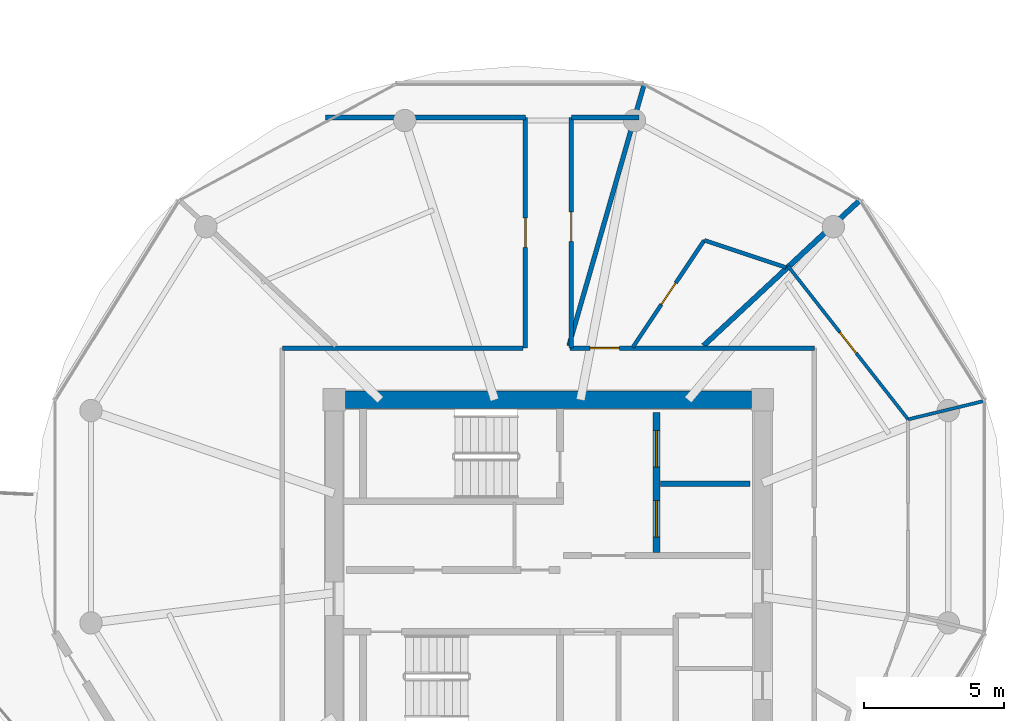
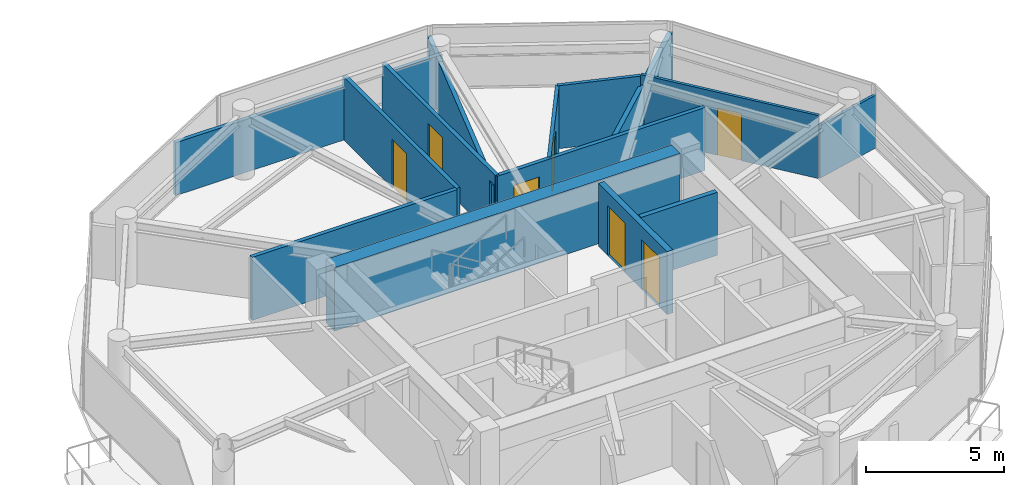
# One storey, part 16 of 21: 15 walls, 7 doors, 7 openings.
"""IFC4 building model written with IfcOpenShell, lengths in metres."""

from ifc_helpers import new_model, si_unit, direction, frame, frame_2d, origin, place, context, subcontext, project, spatial, rectangle, extrude, source, transform, mapped, material, layer, layer_set, type_object, type_shapes, element, fill, save


model = new_model("IFC4")

# Units and contexts
model_context = context("Model", 3, precision=1e-05, world=origin(), true_north=direction((0.0, 1.0)))
body_context = subcontext(model_context, "Body", "Model", "MODEL_VIEW")
ifc_project = project(units=[si_unit("LENGTHUNIT", "METRE"), si_unit("AREAUNIT", "SQUARE_METRE"), si_unit("VOLUMEUNIT", "CUBIC_METRE"), si_unit("PLANEANGLEUNIT", "RADIAN"), si_unit("MASSUNIT", "GRAM", prefix="KILO")], contexts=[model_context])

# Site, building, storey
site_placement = place(None, origin())
site = spatial("IfcSite", under=ifc_project, at=site_placement, CompositionType="ELEMENT")
building_placement = place(site_placement, origin())
building = spatial("IfcBuilding", under=site, at=building_placement, Name="Norrkilde Senior Care Towers", CompositionType="ELEMENT")
storey_placement = place(building_placement, frame((0.0, 0.0, 149.550048828125)))
storey = spatial("IfcBuildingStorey", under=building, at=storey_placement, Name="L46", CompositionType="ELEMENT", Elevation=149.550048828125)

# Wall
ifc_material_1 = material(Name="Concrete C50/60", Category="concrete")
ifc_layer_1 = layer(ifc_material_1, 0.6201171875)
ifc_layer_set_1 = layer_set([ifc_layer_1], Name="Concrete C50/60")
wall_type_1 = type_object("IfcWallType", Name="Core Shear Wall Z3 620", PredefinedType="SHEAR", material=ifc_layer_set_1)
shared_shape_1 = source(origin(), body_context, "Body", "SweptSolid", [
    extrude(rectangle(XDim=14.5, YDim=0.6201171875, at=frame_2d((7.25, 0.0))), origin(), (0.0, 0.0, 1.0), 2.81005859375),
])
type_shapes(wall_type_1, [shared_shape_1])
wall_1_placement = place(storey_placement, frame((20.75, 5.949951171875, 0.0), z_axis=(0.0, 0.0, 1.0), x_axis=(1.0, 0.0, 0.0)))
element("IfcWall", 1, at=wall_1_placement, inside=storey, type_object=wall_type_1, Name="L46 Core E North Shear Wall", PredefinedType="SHEAR", context=body_context, shape_type="MappedRepresentation", body=[
    mapped(shared_shape_1, transform((0.0, 0.0, 0.0), x_axis=(1.0, 0.0, 0.0), y_axis=(0.0, 1.0, 0.0), z_axis=(0.0, 0.0, 1.0), scale=1.0)),
])

# Wall, openings, doors
ifc_material_2 = material(Name="Concrete C45/55", Category="concrete")
ifc_layer_2 = layer(ifc_material_2, 0.239990234375)
ifc_layer_set_2 = layer_set([ifc_layer_2], Name="Concrete C45/55")
wall_type_2 = type_object("IfcWallType", Name="Lift and Plant Rated Enclosure Partition 240", PredefinedType="PARTITIONING", material=ifc_layer_set_2)
shared_shape_2 = source(origin(), body_context, "Body", "SweptSolid", [
    extrude(rectangle(XDim=5.0, YDim=0.239990234375, at=frame_2d((2.5, 0.0))), origin(), (0.0, 0.0, 1.0), 2.794921875),
])
type_shapes(wall_type_2, [shared_shape_2])
wall_2_placement = place(storey_placement, frame((31.860107421875, 0.5, 0.0), z_axis=(0.0, 0.0, 1.0), x_axis=(0.0, 1.0, 0.0)))
wall_2 = element("IfcWall", 2, at=wall_2_placement, inside=storey, type_object=wall_type_2, Name="WL-INT-L46-E-FFLE", PredefinedType="PARTITIONING", context=body_context, shape_type="MappedRepresentation", body=[
    mapped(shared_shape_2, transform((0.0, 0.0, 0.0), x_axis=(1.0, 0.0, 0.0), y_axis=(0.0, 1.0, 0.0), z_axis=(0.0, 0.0, 1.0), scale=1.0)),
])
opening_1_placement = place(wall_2_placement, frame((3.050048828125, 0.0, 0.0)))
opening_1 = element("IfcOpeningElement", 3, at=opening_1_placement, cuts=wall_2, Name="Opening LD-02", PredefinedType="OPENING", context=body_context, shape_type="SweptSolid", body=[
    extrude(rectangle(XDim=1.300048828125, YDim=2.199951171875, at=frame_2d((0.64990234375, 1.10009765625))), frame((0.0, 0.1298828125, 0.0), z_axis=(0.0, -1.0, 0.0), x_axis=(1.0, 0.0, 0.0)), (0.0, 0.0, 1.0), 0.260009765625),
])
opening_2_placement = place(wall_2_placement, frame((0.550048828125, 0.0, 0.0)))
opening_2 = element("IfcOpeningElement", 4, at=opening_2_placement, cuts=wall_2, Name="Opening LD-02", PredefinedType="OPENING", context=body_context, shape_type="SweptSolid", body=[
    extrude(rectangle(XDim=1.300048828125, YDim=2.199951171875, at=frame_2d((0.64990234375, 1.10009765625))), frame((0.0, 0.1298828125, 0.0), z_axis=(0.0, -1.0, 0.0), x_axis=(1.0, 0.0, 0.0)), (0.0, 0.0, 1.0), 0.260009765625),
])
ifc_material_3 = material(Name="Stainless Steel", Category="steel")
door_type_1 = type_object("IfcDoorType", Name="Stretcher and FFL Landing Sliding Door 1300x2200", OperationType="NOTDEFINED", PredefinedType="DOOR", material=ifc_material_3)
shared_shape_3 = source(origin(), body_context, "Body", "SweptSolid", [
    extrude(rectangle(XDim=1.300048828125, YDim=2.199951171875, at=frame_2d((0.64990234375, 1.10009765625))), frame((0.0, 0.02490234375, 0.0), z_axis=(0.0, -1.0, 0.0), x_axis=(1.0, 0.0, 0.0)), (0.0, 0.0, 1.0), 0.050048828125),
])
type_shapes(door_type_1, [shared_shape_3])
door_1_placement = place(opening_1_placement, origin())
door_1 = element("IfcDoor", 5, at=door_1_placement, inside=storey, type_object=door_type_1, Name="L46 Firefighting Lift E1 Landing Door", OperationType="SLIDING_TO_LEFT", OverallHeight=2.199951171875, OverallWidth=1.300048828125, PredefinedType="DOOR", context=body_context, shape_type="MappedRepresentation", body=[
    mapped(shared_shape_3, transform((0.0, 0.0, 0.0), x_axis=(1.0, 0.0, 0.0), y_axis=(0.0, 1.0, 0.0), z_axis=(0.0, 0.0, 1.0), scale=1.0)),
])
fill(opening_1, door_1)
door_2_placement = place(opening_2_placement, origin())
door_2 = element("IfcDoor", 6, at=door_2_placement, inside=storey, type_object=door_type_1, Name="L46 Stretcher Lift E1 Landing Door", OperationType="SLIDING_TO_RIGHT", OverallHeight=2.199951171875, OverallWidth=1.300048828125, PredefinedType="DOOR", context=body_context, shape_type="MappedRepresentation", body=[
    mapped(shared_shape_3, transform((0.0, 0.0, 0.0), x_axis=(1.0, 0.0, 0.0), y_axis=(0.0, 1.0, 0.0), z_axis=(0.0, 0.0, 1.0), scale=1.0)),
])
fill(opening_2, door_2)

# Walls
ifc_layer_3 = layer(ifc_material_2, 0.199951171875)
ifc_layer_set_3 = layer_set([ifc_layer_3], Name="Concrete C45/55")
wall_type_3 = type_object("IfcWallType", Name="Shaft Division and Plant Partition 200", PredefinedType="PARTITIONING", material=ifc_layer_set_3)
shared_shape_4 = source(origin(), body_context, "Body", "SweptSolid", [
    extrude(rectangle(XDim=3.199951171875, YDim=0.199951171875, at=frame_2d((1.60009765625, 0.0))), origin(), (0.0, 0.0, 1.0), 2.794921875),
])
type_shapes(wall_type_3, [shared_shape_4])
wall_3_placement = place(storey_placement, frame((32.0, 2.949951171875, 0.0), z_axis=(0.0, 0.0, 1.0), x_axis=(1.0, 0.0, 0.0)))
element("IfcWall", 7, at=wall_3_placement, inside=storey, type_object=wall_type_3, Name="WL-INT-L46-E-FFLDIV", PredefinedType="PARTITIONING", context=body_context, shape_type="MappedRepresentation", body=[
    mapped(shared_shape_4, transform((0.0, 0.0, 0.0), x_axis=(1.0, 0.0, 0.0), y_axis=(0.0, 1.0, 0.0), z_axis=(0.0, 0.0, 1.0), scale=1.0)),
])
ifc_material_4 = material(Name="Gypsum Acoustic Board")
ifc_layer_4 = layer(ifc_material_4, 0.1650390625)
ifc_layer_set_4 = layer_set([ifc_layer_4], Name="Gypsum Acoustic Board")
wall_type_4 = type_object("IfcWallType", Name="Corridor Rated Partition 165", PredefinedType="PARTITIONING", material=ifc_layer_set_4)
shared_shape_5 = source(origin(), body_context, "Body", "SweptSolid", [
    extrude(rectangle(XDim=8.60009765625, YDim=0.1650390625, at=frame_2d((4.300048828125, 0.0))), origin(), (0.0, 0.0, 1.0), 2.794921875),
])
wall_4_placement = place(storey_placement, frame((18.5, 7.800048828125, 0.0), z_axis=(0.0, 0.0, 1.0), x_axis=(1.0, 0.0, 0.0)))
element("IfcWall", 8, at=wall_4_placement, inside=storey, type_object=wall_type_4, Name="WL-INT-L46-E-CRW-N-0", PredefinedType="PARTITIONING", context=body_context, shape_type="MappedRepresentation", body=[
    mapped(shared_shape_5, transform((0.0, 0.0, 0.0), x_axis=(1.0, 0.0, 0.0), y_axis=(0.0, 1.0, 0.0), z_axis=(0.0, 0.0, 1.0), scale=1.0)),
])
shared_shape_6 = source(origin(), body_context, "Body", "SweptSolid", [
    extrude(rectangle(XDim=9.73046875, YDim=0.1650390625, at=frame_2d((4.865234375, 0.0))), origin(), (0.0, 0.0, 1.0), 2.344970703125),
])
wall_5_placement = place(storey_placement, frame((28.7333984375, 7.8798828125, 0.0), z_axis=(0.0, 0.0, 1.0), x_axis=(0.27679492614, 0.960929013436, 0.0)))
element("IfcWall", 9, at=wall_5_placement, inside=storey, type_object=wall_type_4, Name="WL-INT-L46-E-DEM-02-0", PredefinedType="PARTITIONING", context=body_context, shape_type="MappedRepresentation", body=[
    mapped(shared_shape_6, transform((0.0, 0.0, 0.0), x_axis=(1.0, 0.0, 0.0), y_axis=(0.0, 1.0, 0.0), z_axis=(0.0, 0.0, 1.0), scale=1.0)),
])

# Wall, opening, door
shared_shape_7 = source(origin(), body_context, "Body", "SweptSolid", [
    extrude(rectangle(XDim=8.2353515625, YDim=0.1650390625, at=frame_2d((4.11767578125, 0.0))), origin(), (0.0, 0.0, 1.0), 2.794921875),
])
wall_6_placement = place(storey_placement, frame((27.179931640625, 7.800048828125, 0.0), z_axis=(0.0, 0.0, 1.0), x_axis=(0.0, 1.0, 0.0)))
wall_6 = element("IfcWall", 10, at=wall_6_placement, inside=storey, type_object=wall_type_4, Name="WL-INT-L46-E-PKW-NWL", PredefinedType="PARTITIONING", context=body_context, shape_type="MappedRepresentation", body=[
    mapped(shared_shape_7, transform((0.0, 0.0, 0.0), x_axis=(1.0, 0.0, 0.0), y_axis=(0.0, 1.0, 0.0), z_axis=(0.0, 0.0, 1.0), scale=1.0)),
])
opening_3_placement = place(wall_6_placement, frame((3.5927734375, 0.0, 0.0)))
opening_3 = element("IfcOpeningElement", 11, at=opening_3_placement, cuts=wall_6, Name="Opening D-06", PredefinedType="OPENING", context=body_context, shape_type="SweptSolid", body=[
    extrude(rectangle(XDim=1.050048828125, YDim=2.14990234375, at=frame_2d((0.52490234375, 1.074951171875))), frame((0.0, 0.092529296875, 0.0), z_axis=(0.0, -1.0, 0.0), x_axis=(1.0, 0.0, 0.0)), (0.0, 0.0, 1.0), 0.18505859375),
])
ifc_material_5 = material(Name="Nordic Ash Timber", Category="wood")
door_type_2 = type_object("IfcDoorType", Name="Apartment Entrance Fire Door 1050x2150", OperationType="NOTDEFINED", PredefinedType="DOOR", material=ifc_material_5)
shared_shape_8 = source(origin(), body_context, "Body", "SweptSolid", [
    extrude(rectangle(XDim=1.050048828125, YDim=2.14990234375, at=frame_2d((0.52490234375, 1.074951171875))), frame((0.0, 0.02490234375, 0.0), z_axis=(0.0, -1.0, 0.0), x_axis=(1.0, 0.0, 0.0)), (0.0, 0.0, 1.0), 0.050048828125),
])
type_shapes(door_type_2, [shared_shape_8])
door_3_placement = place(opening_3_placement, frame((1.050048828125, 0.0, 0.0), z_axis=(0.0, 0.0, 1.0), x_axis=(-1.0, 0.0, 0.0)))
door_3 = element("IfcDoor", 12, at=door_3_placement, inside=storey, type_object=door_type_2, Name="L46 Reading Lounge NWL Door", OperationType="SINGLE_SWING_RIGHT", OverallHeight=2.14990234375, OverallWidth=1.050048828125, PredefinedType="DOOR", context=body_context, shape_type="MappedRepresentation", body=[
    mapped(shared_shape_8, transform((0.0, 0.0, 0.0), x_axis=(1.0, 0.0, 0.0), y_axis=(0.0, 1.0, 0.0), z_axis=(0.0, 0.0, 1.0), scale=1.0)),
])
fill(opening_3, door_3)

wall_7_placement = place(storey_placement, frame((28.820068359375, 7.800048828125, 0.0), z_axis=(0.0, 0.0, 1.0), x_axis=(0.0, 1.0, 0.0)))
wall_7 = element("IfcWall", 13, at=wall_7_placement, inside=storey, type_object=wall_type_4, Name="WL-INT-L46-E-PKW-NEL", PredefinedType="PARTITIONING", context=body_context, shape_type="MappedRepresentation", body=[
    mapped(shared_shape_7, transform((0.0, 0.0, 0.0), x_axis=(1.0, 0.0, 0.0), y_axis=(0.0, 1.0, 0.0), z_axis=(0.0, 0.0, 1.0), scale=1.0)),
])
opening_4_placement = place(wall_7_placement, frame((3.81298828125, 0.0, 0.0)))
opening_4 = element("IfcOpeningElement", 14, at=opening_4_placement, cuts=wall_7, Name="Opening D-06", PredefinedType="OPENING", context=body_context, shape_type="SweptSolid", body=[
    extrude(rectangle(XDim=1.050048828125, YDim=2.14990234375, at=frame_2d((0.52490234375, 1.074951171875))), frame((0.0, 0.092529296875, 0.0), z_axis=(0.0, -1.0, 0.0), x_axis=(1.0, 0.0, 0.0)), (0.0, 0.0, 1.0), 0.18505859375),
])
door_4_placement = place(opening_4_placement, frame((1.050048828125, 0.0, 0.0), z_axis=(0.0, 0.0, 1.0), x_axis=(-1.0, 0.0, 0.0)))
door_4 = element("IfcDoor", 15, at=door_4_placement, inside=storey, type_object=door_type_2, Name="L46 Reading Lounge NEL Door", OperationType="SINGLE_SWING_RIGHT", OverallHeight=2.14990234375, OverallWidth=1.050048828125, PredefinedType="DOOR", context=body_context, shape_type="MappedRepresentation", body=[
    mapped(shared_shape_8, transform((0.0, 0.0, 0.0), x_axis=(1.0, 0.0, 0.0), y_axis=(0.0, 1.0, 0.0), z_axis=(0.0, 0.0, 1.0), scale=1.0)),
])
fill(opening_4, door_4)

# Walls
shared_shape_9 = source(origin(), body_context, "Body", "SweptSolid", [
    extrude(rectangle(XDim=2.418701171875, YDim=0.1650390625, at=frame_2d((1.20947265625, 0.0))), origin(), (0.0, 0.0, 1.0), 2.344970703125),
])
wall_8_placement = place(storey_placement, frame((28.820068359375, 16.035400390625, 0.0), z_axis=(0.0, 0.0, 1.0), x_axis=(1.0, 0.0, 0.0)))
element("IfcWall", 16, at=wall_8_placement, inside=storey, type_object=wall_type_4, Name="WL-INT-L46-E-PKH-NEL-0", PredefinedType="PARTITIONING", context=body_context, shape_type="MappedRepresentation", body=[
    mapped(shared_shape_9, transform((0.0, 0.0, 0.0), x_axis=(1.0, 0.0, 0.0), y_axis=(0.0, 1.0, 0.0), z_axis=(0.0, 0.0, 1.0), scale=1.0)),
])
shared_shape_10 = source(origin(), body_context, "Body", "SweptSolid", [
    extrude(rectangle(XDim=7.138916015625, YDim=0.1650390625, at=frame_2d((3.5693359375, 0.0))), origin(), (0.0, 0.0, 1.0), 2.344970703125),
])
wall_9_placement = place(storey_placement, frame((20.041015625, 16.035400390625, 0.0), z_axis=(0.0, 0.0, 1.0), x_axis=(1.0, 0.0, 0.0)))
element("IfcWall", 17, at=wall_9_placement, inside=storey, type_object=wall_type_4, Name="WL-INT-L46-E-PKH-NWL-0", PredefinedType="PARTITIONING", context=body_context, shape_type="MappedRepresentation", body=[
    mapped(shared_shape_10, transform((0.0, 0.0, 0.0), x_axis=(1.0, 0.0, 0.0), y_axis=(0.0, 1.0, 0.0), z_axis=(0.0, 0.0, 1.0), scale=1.0)),
])

# Wall, opening, door
shared_shape_11 = source(origin(), body_context, "Body", "SweptSolid", [
    extrude(rectangle(XDim=8.719482421875, YDim=0.1650390625, at=frame_2d((4.35986328125, 0.0))), origin(), (0.0, 0.0, 1.0), 2.794921875),
])
type_shapes(wall_type_4, [shared_shape_5, shared_shape_6, shared_shape_7, shared_shape_9, shared_shape_10, shared_shape_11])
wall_10_placement = place(storey_placement, frame((28.780517578125, 7.800048828125, 0.0), z_axis=(0.0, 0.0, 1.0), x_axis=(1.0, 0.0, 0.0)))
wall_10 = element("IfcWall", 18, at=wall_10_placement, inside=storey, type_object=wall_type_4, Name="WL-INT-L46-E-CRW-N-1", PredefinedType="PARTITIONING", context=body_context, shape_type="MappedRepresentation", body=[
    mapped(shared_shape_11, transform((0.0, 0.0, 0.0), x_axis=(1.0, 0.0, 0.0), y_axis=(0.0, 1.0, 0.0), z_axis=(0.0, 0.0, 1.0), scale=1.0)),
])
opening_5_placement = place(wall_10_placement, frame((0.710205078125, 0.0, 0.0)))
opening_5 = element("IfcOpeningElement", 19, at=opening_5_placement, cuts=wall_10, Name="Opening D-06", PredefinedType="OPENING", context=body_context, shape_type="SweptSolid", body=[
    extrude(rectangle(XDim=1.050048828125, YDim=2.14990234375, at=frame_2d((0.52490234375, 1.074951171875))), frame((0.0, 0.092529296875, 0.0), z_axis=(0.0, -1.0, 0.0), x_axis=(1.0, 0.0, 0.0)), (0.0, 0.0, 1.0), 0.18505859375),
])
door_5_placement = place(opening_5_placement, frame((1.050048828125, 0.0, 0.0), z_axis=(0.0, 0.0, 1.0), x_axis=(-1.0, 0.0, 0.0)))
door_5 = element("IfcDoor", 20, at=door_5_placement, inside=storey, type_object=door_type_2, Name="L46 Studio 46C Entrance Door", OperationType="SINGLE_SWING_LEFT", OverallHeight=2.14990234375, OverallWidth=1.050048828125, PredefinedType="DOOR", context=body_context, shape_type="MappedRepresentation", body=[
    mapped(shared_shape_8, transform((0.0, 0.0, 0.0), x_axis=(1.0, 0.0, 0.0), y_axis=(0.0, 1.0, 0.0), z_axis=(0.0, 0.0, 1.0), scale=1.0)),
])
fill(opening_5, door_5)

# Walls
ifc_layer_5 = layer(ifc_material_4, 0.18994140625)
ifc_layer_set_5 = layer_set([ifc_layer_5], Name="Gypsum Acoustic Board")
wall_type_5 = type_object("IfcWallType", Name="Unit Demising Acoustic Wall 190", PredefinedType="PARTITIONING", material=ifc_layer_set_5)
shared_shape_12 = source(origin(), body_context, "Body", "SweptSolid", [
    extrude(rectangle(XDim=7.64794921875, YDim=0.18994140625, at=frame_2d((3.823974609375, 0.0))), origin(), (0.0, 0.0, 1.0), 2.344970703125),
])
type_shapes(wall_type_5, [shared_shape_12])
wall_11_placement = place(storey_placement, frame((33.53759765625, 7.8798828125, 0.0), z_axis=(0.0, 0.0, 1.0), x_axis=(0.732167856666, 0.681124239522, 0.0)))
element("IfcWall", 21, at=wall_11_placement, inside=storey, type_object=wall_type_5, Name="WL-INT-L46-E-DEM-01-0", PredefinedType="PARTITIONING", context=body_context, shape_type="MappedRepresentation", body=[
    mapped(shared_shape_12, transform((0.0, 0.0, 0.0), x_axis=(1.0, 0.0, 0.0), y_axis=(0.0, 1.0, 0.0), z_axis=(0.0, 0.0, 1.0), scale=1.0)),
])
ifc_layer_6 = layer(ifc_material_4, 0.114990234375)
ifc_layer_set_6 = layer_set([ifc_layer_6], Name="Gypsum Acoustic Board")
wall_type_6 = type_object("IfcWallType", Name="Internal Room Partition 115", PredefinedType="PARTITIONING", material=ifc_layer_set_6)
shared_shape_13 = source(origin(), body_context, "Body", "SweptSolid", [
    extrude(rectangle(XDim=2.818359375, YDim=0.114990234375, at=frame_2d((1.4091796875, 0.0))), origin(), (0.0, 0.0, 1.0), 2.344970703125),
])
wall_12_placement = place(storey_placement, frame((40.849609375, 5.253662109375, 0.0), z_axis=(0.0, 0.0, 1.0), x_axis=(0.971949193017, 0.235190914353, 0.0)))
element("IfcWall", 22, at=wall_12_placement, inside=storey, type_object=wall_type_6, Name="WL-INT-L46-E-UBR-10-2", PredefinedType="PARTITIONING", context=body_context, shape_type="MappedRepresentation", body=[
    mapped(shared_shape_13, transform((0.0, 0.0, 0.0), x_axis=(1.0, 0.0, 0.0), y_axis=(0.0, 1.0, 0.0), z_axis=(0.0, 0.0, 1.0), scale=1.0)),
])

# Wall, opening, door
shared_shape_14 = source(origin(), body_context, "Body", "SweptSolid", [
    extrude(rectangle(XDim=6.966064453125, YDim=0.114990234375, at=frame_2d((3.48291015625, 0.0))), origin(), (0.0, 0.0, 1.0), 2.794921875),
])
type_shapes(wall_type_6, [shared_shape_13, shared_shape_14])
wall_13_placement = place(storey_placement, frame((40.849609375, 5.253662109375, 0.0), z_axis=(0.0, 0.0, 1.0), x_axis=(-0.616695640563, 0.787201681217, 0.0)))
wall_13 = element("IfcWall", 23, at=wall_13_placement, inside=storey, type_object=wall_type_6, Name="WL-INT-L46-E-UBC-10-2", PredefinedType="PARTITIONING", context=body_context, shape_type="MappedRepresentation", body=[
    mapped(shared_shape_14, transform((0.0, 0.0, 0.0), x_axis=(1.0, 0.0, 0.0), y_axis=(0.0, 1.0, 0.0), z_axis=(0.0, 0.0, 1.0), scale=1.0)),
])
opening_6_placement = place(wall_13_placement, frame((3.008056640625, 0.0, 0.0)))
opening_6 = element("IfcOpeningElement", 24, at=opening_6_placement, cuts=wall_13, Name="Opening D-07", PredefinedType="OPENING", context=body_context, shape_type="SweptSolid", body=[
    extrude(rectangle(XDim=0.949951171875, YDim=2.10009765625, at=frame_2d((0.47509765625, 1.050048828125))), frame((0.0, 0.0673828125, 0.0), z_axis=(0.0, -1.0, 0.0), x_axis=(1.0, 0.0, 0.0)), (0.0, 0.0, 1.0), 0.135009765625),
])
door_type_3 = type_object("IfcDoorType", Name="Internal Suite Bedroom Door 950x2100", OperationType="NOTDEFINED", PredefinedType="DOOR", material=ifc_material_5)
shared_shape_15 = source(origin(), body_context, "Body", "SweptSolid", [
    extrude(rectangle(XDim=0.949951171875, YDim=2.10009765625, at=frame_2d((0.47509765625, 1.050048828125))), frame((0.0, 0.02490234375, 0.0), z_axis=(0.0, -1.0, 0.0), x_axis=(1.0, 0.0, 0.0)), (0.0, 0.0, 1.0), 0.050048828125),
])
type_shapes(door_type_3, [shared_shape_15])
door_6_placement = place(opening_6_placement, frame((0.949951171875, 0.0, 0.0), z_axis=(0.0, 0.0, 1.0), x_axis=(-1.0, 0.0, 0.0)))
door_6 = element("IfcDoor", 25, at=door_6_placement, inside=storey, type_object=door_type_3, Name="Apartment 46B Bedroom 2 Door", OperationType="SINGLE_SWING_LEFT", OverallHeight=2.10009765625, OverallWidth=0.949951171875, PredefinedType="DOOR", context=body_context, shape_type="MappedRepresentation", body=[
    mapped(shared_shape_15, transform((0.0, 0.0, 0.0), x_axis=(1.0, 0.0, 0.0), y_axis=(0.0, 1.0, 0.0), z_axis=(0.0, 0.0, 1.0), scale=1.0)),
])
fill(opening_6, door_6)

ifc_layer_7 = layer(ifc_material_4, 0.139892578125)
ifc_layer_set_7 = layer_set([ifc_layer_7], Name="Gypsum Acoustic Board")
wall_type_7 = type_object("IfcWallType", Name="En-suite Wet Room Wall 140", PredefinedType="PARTITIONING", material=ifc_layer_set_7)
shared_shape_16 = source(origin(), body_context, "Body", "SweptSolid", [
    extrude(rectangle(XDim=4.593017578125, YDim=0.139892578125, at=frame_2d((2.29638671875, 0.0))), origin(), (0.0, 0.0, 1.0), 2.794921875),
])
wall_14_placement = place(storey_placement, frame((31.018798828125, 7.830078125, 0.0), z_axis=(0.0, 0.0, 1.0), x_axis=(0.555362412301, 0.831608436107, 0.0)))
wall_14 = element("IfcWall", 26, at=wall_14_placement, inside=storey, type_object=wall_type_7, Name="WL-INT-L46-E-ES-01", PredefinedType="PARTITIONING", context=body_context, shape_type="MappedRepresentation", body=[
    mapped(shared_shape_16, transform((0.0, 0.0, 0.0), x_axis=(1.0, 0.0, 0.0), y_axis=(0.0, 1.0, 0.0), z_axis=(0.0, 0.0, 1.0), scale=1.0)),
])
opening_7_placement = place(wall_14_placement, frame((1.83642578125, 0.0, 0.0)))
opening_7 = element("IfcOpeningElement", 27, at=opening_7_placement, cuts=wall_14, Name="Opening D-08", PredefinedType="OPENING", context=body_context, shape_type="SweptSolid", body=[
    extrude(rectangle(XDim=0.919921875, YDim=2.10009765625, at=frame_2d((0.4599609375, 1.050048828125))), frame((0.0, 0.079833984375, 0.0), z_axis=(0.0, -1.0, 0.0), x_axis=(1.0, 0.0, 0.0)), (0.0, 0.0, 1.0), 0.159912109375),
])
door_type_4 = type_object("IfcDoorType", Name="Accessible Wet Room Door 920x2100", OperationType="NOTDEFINED", PredefinedType="DOOR", material=ifc_material_5)
shared_shape_17 = source(origin(), body_context, "Body", "SweptSolid", [
    extrude(rectangle(XDim=0.919921875, YDim=2.10009765625, at=frame_2d((0.4599609375, 1.050048828125))), frame((0.0, 0.02490234375, 0.0), z_axis=(0.0, -1.0, 0.0), x_axis=(1.0, 0.0, 0.0)), (0.0, 0.0, 1.0), 0.050048828125),
])
type_shapes(door_type_4, [shared_shape_17])
door_7_placement = place(opening_7_placement, origin())
door_7 = element("IfcDoor", 28, at=door_7_placement, inside=storey, type_object=door_type_4, Name="L46 Studio 46C Bathroom Door", OperationType="SINGLE_SWING_RIGHT", OverallHeight=2.10009765625, OverallWidth=0.919921875, PredefinedType="DOOR", context=body_context, shape_type="MappedRepresentation", body=[
    mapped(shared_shape_17, transform((0.0, 0.0, 0.0), x_axis=(1.0, 0.0, 0.0), y_axis=(0.0, 1.0, 0.0), z_axis=(0.0, 0.0, 1.0), scale=1.0)),
])
fill(opening_7, door_7)

# Wall
shared_shape_18 = source(origin(), body_context, "Body", "SweptSolid", [
    extrude(rectangle(XDim=3.07666015625, YDim=0.139892578125, at=frame_2d((1.538330078125, 0.0))), origin(), (0.0, 0.0, 1.0), 2.794921875),
])
type_shapes(wall_type_7, [shared_shape_16, shared_shape_18])
wall_15_placement = place(storey_placement, frame((33.569580078125, 11.649658203125, 0.0), z_axis=(0.0, 0.0, 1.0), x_axis=(0.948635676976, -0.3163705934, 0.0)))
element("IfcWall", 29, at=wall_15_placement, inside=storey, type_object=wall_type_7, Name="WL-INT-L46-E-EF-01", PredefinedType="PARTITIONING", context=body_context, shape_type="MappedRepresentation", body=[
    mapped(shared_shape_18, transform((0.0, 0.0, 0.0), x_axis=(1.0, 0.0, 0.0), y_axis=(0.0, 1.0, 0.0), z_axis=(0.0, 0.0, 1.0), scale=1.0)),
])

save(model, "model.ifc")
